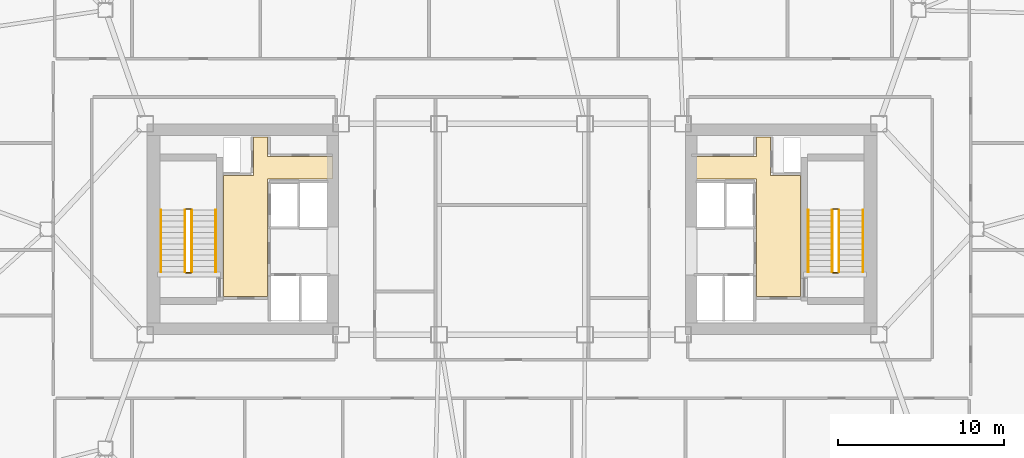
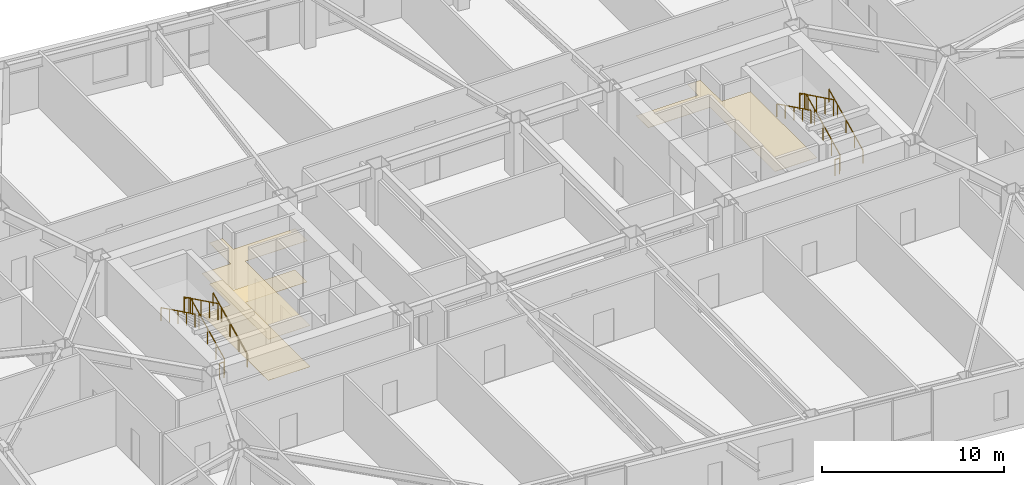
# One storey, part 20 of 20: 12 railings, 3 coverings.
"""IFC4 building model written with IfcOpenShell, lengths in metres."""

from ifc_helpers import new_model, si_unit, direction, frame, origin, origin_2d, place, context, subcontext, project, spatial, polyline, rectangle, outline, extrude, material, layer, layer_set, type_object, element, save


model = new_model("IFC4")

# Units and contexts
model_context = context("Model", 3, precision=1e-05, world=origin(), true_north=direction((0.0, 1.0)))
body_context = subcontext(model_context, "Body", "Model", "MODEL_VIEW")
ifc_project = project(units=[si_unit("LENGTHUNIT", "METRE"), si_unit("AREAUNIT", "SQUARE_METRE"), si_unit("VOLUMEUNIT", "CUBIC_METRE"), si_unit("PLANEANGLEUNIT", "RADIAN"), si_unit("MASSUNIT", "GRAM", prefix="KILO")], contexts=[model_context])

# Site, building, storey
site_placement = place(None, origin())
site = spatial("IfcSite", under=ifc_project, at=site_placement, CompositionType="ELEMENT")
building_placement = place(site_placement, origin())
building = spatial("IfcBuilding", under=site, at=building_placement, Name="Tavrogorsk Clinical Tower", CompositionType="ELEMENT")
storey_placement = place(building_placement, frame((0.0, 0.0, 105.39990234375)))
storey = spatial("IfcBuildingStorey", under=building, at=storey_placement, Name="L23", CompositionType="ELEMENT", Elevation=105.39990234375)

# Coverings
ifc_material_1 = material(Name="Antibacterial micro-perforated aluminium ceiling", Category="aluminium")
ifc_layer_1 = layer(ifc_material_1, 0.014892578125)
ifc_layer_set_1 = layer_set([ifc_layer_1], Name="Antibacterial micro-perforated aluminium ceiling")
covering_type_1 = type_object("IfcCoveringType", Name="ClinicalCeiling_15", PredefinedType="CEILING", material=ifc_layer_set_1)
covering_1_placement = place(storey_placement, frame((0.0, 0.0, 2.75)))
element("IfcCovering", 1, at=covering_1_placement, inside=storey, type_object=covering_type_1, Name="Core West Firefighting Lift Lobby Acoustic Ceiling", PredefinedType="CEILING", context=body_context, shape_type="SweptSolid", body=[
    extrude(outline(polyline([(-14.719970703125, 4.3798828125), (-10.800048828125, 4.3798828125), (-10.800048828125, 3.0400390625), (-14.719970703125, 3.0400390625), (-14.719970703125, -4.06005859375), (-17.3798828125, -4.06005859375), (-17.3798828125, 3.239990234375), (-15.56005859375, 3.239990234375), (-15.56005859375, 5.56005859375), (-14.719970703125, 5.56005859375), (-14.719970703125, 4.3798828125)])), origin(), (0.0, 0.0, 1.0), 0.01513671875),
])
covering_2_placement = place(storey_placement, frame((0.0, 0.0, 2.75)))
element("IfcCovering", 2, at=covering_2_placement, inside=storey, type_object=covering_type_1, Name="Core East Firefighting Lift Lobby Acoustic Ceiling", PredefinedType="CEILING", context=body_context, shape_type="SweptSolid", body=[
    extrude(outline(polyline([(14.719970703125, -4.06005859375), (14.719970703125, 3.0400390625), (10.800048828125, 3.0400390625), (10.800048828125, 4.3798828125), (14.719970703125, 4.3798828125), (14.719970703125, 5.56005859375), (15.56005859375, 5.56005859375), (15.56005859375, 3.239990234375), (17.3798828125, 3.239990234375), (17.3798828125, -4.06005859375), (14.719970703125, -4.06005859375)])), origin(), (0.0, 0.0, 1.0), 0.01513671875),
])
ifc_material_2 = material(Name="Homogeneous medical conductive PVC flooring")
ifc_layer_2 = layer(ifc_material_2, 0.008056640625)
ifc_layer_set_2 = layer_set([ifc_layer_2], Name="Homogeneous medical conductive PVC flooring")
covering_type_2 = type_object("IfcCoveringType", Name="ResilientVinylFloor_8", PredefinedType="FLOORING", material=ifc_layer_set_2)
covering_3_placement = place(storey_placement, origin())
element("IfcCovering", 3, at=covering_3_placement, inside=storey, type_object=covering_type_2, Name="Core West Firefighting Lift Lobby Conductive Vinyl Flooring", PredefinedType="FLOORING", context=body_context, shape_type="SweptSolid", body=[
    extrude(outline(polyline([(-14.719970703125, 4.3798828125), (-10.800048828125, 4.3798828125), (-10.800048828125, 3.0400390625), (-14.719970703125, 3.0400390625), (-14.719970703125, -4.06005859375), (-17.3798828125, -4.06005859375), (-17.3798828125, 3.239990234375), (-15.56005859375, 3.239990234375), (-15.56005859375, 5.56005859375), (-14.719970703125, 5.56005859375), (-14.719970703125, 4.3798828125)])), origin(), (0.0, 0.0, 1.0), 0.008056640625),
])

# Railings
ifc_material_3 = material(Name="Galvanised steel S355 safety stairwell guard", Category="steel")
ifc_layer_3 = layer(ifc_material_3, 0.06005859375)
ifc_layer_set_3 = layer_set([ifc_layer_3], Name="Galvanised steel S355 safety stairwell guard")
railing_type_1 = type_object("IfcRailingType", Name="StairGuard_1150", PredefinedType="GUARDRAIL", material=ifc_layer_set_3)
railing_1_placement = place(storey_placement, frame((-19.300048828125, -2.574951171875, 0.166748046875)))
element("IfcRailing", 4, at=railing_1_placement, inside=storey, type_object=railing_type_1, Name="L23 ST-W stair guard 1", PredefinedType="GUARDRAIL", context=body_context, shape_type="SweptSolid", body=[
    extrude(rectangle(XDim=0.048095703125, YDim=0.048095703125, at=origin_2d()), frame((0.0, 0.0, 1.076171875), z_axis=(0.0, 0.897927990467, 0.440142390523), x_axis=(-1.0, 0.0, 0.0)), (0.0, 0.0, 1.0), 4.1650390625),
    extrude(rectangle(XDim=0.0419921875, YDim=0.0419921875, at=origin_2d()), origin(), (0.0, 0.0, 1.0), 1.052001953125),
    extrude(rectangle(XDim=0.0419921875, YDim=0.0419921875, at=origin_2d()), frame((0.0, 0.93505859375, 0.458251953125)), (0.0, 0.0, 1.0), 1.052001953125),
    extrude(rectangle(XDim=0.0419921875, YDim=0.0419921875, at=origin_2d()), frame((0.0, 1.8701171875, 0.91650390625)), (0.0, 0.0, 1.0), 1.052001953125),
    extrude(rectangle(XDim=0.0419921875, YDim=0.0419921875, at=origin_2d()), frame((0.0, 2.804931640625, 1.375)), (0.0, 0.0, 1.0), 1.052001953125),
    extrude(rectangle(XDim=0.0419921875, YDim=0.0419921875, at=origin_2d()), frame((0.0, 3.739990234375, 1.833251953125)), (0.0, 0.0, 1.0), 1.052001953125),
])
railing_2_placement = place(storey_placement, frame((-19.35009765625, 1.215087890625, 2.0)))
element("IfcRailing", 5, at=railing_2_placement, inside=storey, type_object=railing_type_1, Name="L23 ST-W stair guard 2", PredefinedType="GUARDRAIL", context=body_context, shape_type="SweptSolid", body=[
    extrude(rectangle(XDim=0.048095703125, YDim=0.048095703125, at=origin_2d()), frame((0.0, 0.0, 1.076171875), z_axis=(-1.0, 0.0, 0.0), x_axis=(0.0, -1.0, 0.0)), (0.0, 0.0, 1.0), 0.2998046875),
    extrude(rectangle(XDim=0.0419921875, YDim=0.0419921875, at=origin_2d()), origin(), (0.0, 0.0, 1.0), 1.052001953125),
    extrude(rectangle(XDim=0.0419921875, YDim=0.0419921875, at=origin_2d()), frame((-0.2998046875, 0.0, 0.0)), (0.0, 0.0, 1.0), 1.052001953125),
])
railing_3_placement = place(storey_placement, frame((-19.699951171875, 1.1650390625, 2.166748046875)))
element("IfcRailing", 6, at=railing_3_placement, inside=storey, type_object=railing_type_1, Name="L23 ST-W stair guard 3", PredefinedType="GUARDRAIL", context=body_context, shape_type="SweptSolid", body=[
    extrude(rectangle(XDim=0.048095703125, YDim=0.048095703125, at=origin_2d()), frame((0.0, 0.0, 1.076171875), z_axis=(0.0, -0.897927990467, 0.440142390523), x_axis=(1.0, 0.0, 0.0)), (0.0, 0.0, 1.0), 4.1650390625),
    extrude(rectangle(XDim=0.0419921875, YDim=0.0419921875, at=origin_2d()), origin(), (0.0, 0.0, 1.0), 1.052001953125),
    extrude(rectangle(XDim=0.0419921875, YDim=0.0419921875, at=origin_2d()), frame((0.0, -0.93505859375, 0.458251953125)), (0.0, 0.0, 1.0), 1.052001953125),
    extrude(rectangle(XDim=0.0419921875, YDim=0.0419921875, at=origin_2d()), frame((0.0, -1.8701171875, 0.91650390625)), (0.0, 0.0, 1.0), 1.052001953125),
    extrude(rectangle(XDim=0.0419921875, YDim=0.0419921875, at=origin_2d()), frame((0.0, -2.804931640625, 1.375)), (0.0, 0.0, 1.0), 1.052001953125),
    extrude(rectangle(XDim=0.0419921875, YDim=0.0419921875, at=origin_2d()), frame((0.0, -3.739990234375, 1.833251953125)), (0.0, 0.0, 1.0), 1.052001953125),
])
railing_4_placement = place(storey_placement, frame((-19.35009765625, -2.625, 0.0)))
element("IfcRailing", 7, at=railing_4_placement, inside=storey, type_object=railing_type_1, Name="L23 ST-W stair guard 4", PredefinedType="GUARDRAIL", context=body_context, shape_type="SweptSolid", body=[
    extrude(rectangle(XDim=0.048095703125, YDim=0.048095703125, at=origin_2d()), frame((0.0, 0.0, 1.076171875), z_axis=(-1.0, 0.0, 0.0), x_axis=(0.0, -1.0, 0.0)), (0.0, 0.0, 1.0), 0.2998046875),
    extrude(rectangle(XDim=0.0419921875, YDim=0.0419921875, at=origin_2d()), origin(), (0.0, 0.0, 1.0), 1.052001953125),
    extrude(rectangle(XDim=0.0419921875, YDim=0.0419921875, at=origin_2d()), frame((-0.2998046875, 0.0, 0.0)), (0.0, 0.0, 1.0), 1.052001953125),
])
railing_5_placement = place(storey_placement, frame((19.699951171875, -2.574951171875, 0.166748046875)))
element("IfcRailing", 8, at=railing_5_placement, inside=storey, type_object=railing_type_1, Name="L23 ST-E stair guard 1", PredefinedType="GUARDRAIL", context=body_context, shape_type="SweptSolid", body=[
    extrude(rectangle(XDim=0.048095703125, YDim=0.048095703125, at=origin_2d()), frame((0.0, 0.0, 1.076171875), z_axis=(0.0, 0.897927990467, 0.440142390523), x_axis=(-1.0, 0.0, 0.0)), (0.0, 0.0, 1.0), 4.1650390625),
    extrude(rectangle(XDim=0.0419921875, YDim=0.0419921875, at=origin_2d()), origin(), (0.0, 0.0, 1.0), 1.052001953125),
    extrude(rectangle(XDim=0.0419921875, YDim=0.0419921875, at=origin_2d()), frame((0.0, 0.93505859375, 0.458251953125)), (0.0, 0.0, 1.0), 1.052001953125),
    extrude(rectangle(XDim=0.0419921875, YDim=0.0419921875, at=origin_2d()), frame((0.0, 1.8701171875, 0.91650390625)), (0.0, 0.0, 1.0), 1.052001953125),
    extrude(rectangle(XDim=0.0419921875, YDim=0.0419921875, at=origin_2d()), frame((0.0, 2.804931640625, 1.375)), (0.0, 0.0, 1.0), 1.052001953125),
    extrude(rectangle(XDim=0.0419921875, YDim=0.0419921875, at=origin_2d()), frame((0.0, 3.739990234375, 1.833251953125)), (0.0, 0.0, 1.0), 1.052001953125),
])
railing_6_placement = place(storey_placement, frame((19.64990234375, 1.215087890625, 2.0)))
element("IfcRailing", 9, at=railing_6_placement, inside=storey, type_object=railing_type_1, Name="L23 ST-E stair guard 2", PredefinedType="GUARDRAIL", context=body_context, shape_type="SweptSolid", body=[
    extrude(rectangle(XDim=0.048095703125, YDim=0.048095703125, at=origin_2d()), frame((0.0, 0.0, 1.076171875), z_axis=(-1.0, 0.0, 0.0), x_axis=(0.0, -1.0, 0.0)), (0.0, 0.0, 1.0), 0.2998046875),
    extrude(rectangle(XDim=0.0419921875, YDim=0.0419921875, at=origin_2d()), origin(), (0.0, 0.0, 1.0), 1.052001953125),
    extrude(rectangle(XDim=0.0419921875, YDim=0.0419921875, at=origin_2d()), frame((-0.2998046875, 0.0, 0.0)), (0.0, 0.0, 1.0), 1.052001953125),
])
railing_7_placement = place(storey_placement, frame((19.300048828125, 1.1650390625, 2.166748046875)))
element("IfcRailing", 10, at=railing_7_placement, inside=storey, type_object=railing_type_1, Name="L23 ST-E stair guard 3", PredefinedType="GUARDRAIL", context=body_context, shape_type="SweptSolid", body=[
    extrude(rectangle(XDim=0.048095703125, YDim=0.048095703125, at=origin_2d()), frame((0.0, 0.0, 1.076171875), z_axis=(0.0, -0.897927990467, 0.440142390523), x_axis=(1.0, 0.0, 0.0)), (0.0, 0.0, 1.0), 4.1650390625),
    extrude(rectangle(XDim=0.0419921875, YDim=0.0419921875, at=origin_2d()), origin(), (0.0, 0.0, 1.0), 1.052001953125),
    extrude(rectangle(XDim=0.0419921875, YDim=0.0419921875, at=origin_2d()), frame((0.0, -0.93505859375, 0.458251953125)), (0.0, 0.0, 1.0), 1.052001953125),
    extrude(rectangle(XDim=0.0419921875, YDim=0.0419921875, at=origin_2d()), frame((0.0, -1.8701171875, 0.91650390625)), (0.0, 0.0, 1.0), 1.052001953125),
    extrude(rectangle(XDim=0.0419921875, YDim=0.0419921875, at=origin_2d()), frame((0.0, -2.804931640625, 1.375)), (0.0, 0.0, 1.0), 1.052001953125),
    extrude(rectangle(XDim=0.0419921875, YDim=0.0419921875, at=origin_2d()), frame((0.0, -3.739990234375, 1.833251953125)), (0.0, 0.0, 1.0), 1.052001953125),
])
railing_8_placement = place(storey_placement, frame((19.64990234375, -2.625, 0.0)))
element("IfcRailing", 11, at=railing_8_placement, inside=storey, type_object=railing_type_1, Name="L23 ST-E stair guard 4", PredefinedType="GUARDRAIL", context=body_context, shape_type="SweptSolid", body=[
    extrude(rectangle(XDim=0.048095703125, YDim=0.048095703125, at=origin_2d()), frame((0.0, 0.0, 1.076171875), z_axis=(-1.0, 0.0, 0.0), x_axis=(0.0, -1.0, 0.0)), (0.0, 0.0, 1.0), 0.2998046875),
    extrude(rectangle(XDim=0.0419921875, YDim=0.0419921875, at=origin_2d()), origin(), (0.0, 0.0, 1.0), 1.052001953125),
    extrude(rectangle(XDim=0.0419921875, YDim=0.0419921875, at=origin_2d()), frame((-0.2998046875, 0.0, 0.0)), (0.0, 0.0, 1.0), 1.052001953125),
])
ifc_material_4 = material(Name="Stainless steel AISI 304 tubular handrail", Category="steel")
ifc_layer_4 = layer(ifc_material_4, 0.050048828125)
ifc_layer_set_4 = layer_set([ifc_layer_4], Name="Stainless steel AISI 304 tubular handrail")
railing_type_2 = type_object("IfcRailingType", Name="StairHandrail_920", PredefinedType="HANDRAIL", material=ifc_layer_set_4)
railing_9_placement = place(storey_placement, frame((-17.85009765625, -2.574951171875, 0.166748046875)))
element("IfcRailing", 12, at=railing_9_placement, inside=storey, type_object=railing_type_2, Name="L23 ST-W stair handrail 1", PredefinedType="HANDRAIL", context=body_context, shape_type="SweptSolid", body=[
    extrude(rectangle(XDim=0.048095703125, YDim=0.048095703125, at=origin_2d()), frame((0.0, 0.0, 0.8759765625), z_axis=(0.0, 0.897927990467, 0.440142390523), x_axis=(-1.0, 0.0, 0.0)), (0.0, 0.0, 1.0), 4.1650390625),
    extrude(rectangle(XDim=0.0419921875, YDim=0.0419921875, at=origin_2d()), origin(), (0.0, 0.0, 1.0), 0.851806640625),
    extrude(rectangle(XDim=0.0419921875, YDim=0.0419921875, at=origin_2d()), frame((0.0, 0.93505859375, 0.458251953125)), (0.0, 0.0, 1.0), 0.851806640625),
    extrude(rectangle(XDim=0.0419921875, YDim=0.0419921875, at=origin_2d()), frame((0.0, 1.8701171875, 0.91650390625)), (0.0, 0.0, 1.0), 0.851806640625),
    extrude(rectangle(XDim=0.0419921875, YDim=0.0419921875, at=origin_2d()), frame((0.0, 2.804931640625, 1.375)), (0.0, 0.0, 1.0), 0.851806640625),
    extrude(rectangle(XDim=0.0419921875, YDim=0.0419921875, at=origin_2d()), frame((0.0, 3.739990234375, 1.833251953125)), (0.0, 0.0, 1.0), 0.851806640625),
])
railing_10_placement = place(storey_placement, frame((-21.14990234375, 1.1650390625, 2.166748046875)))
element("IfcRailing", 13, at=railing_10_placement, inside=storey, type_object=railing_type_2, Name="L23 ST-W stair handrail 2", PredefinedType="HANDRAIL", context=body_context, shape_type="SweptSolid", body=[
    extrude(rectangle(XDim=0.048095703125, YDim=0.048095703125, at=origin_2d()), frame((0.0, 0.0, 0.8759765625), z_axis=(0.0, -0.897927990467, 0.440142390523), x_axis=(1.0, 0.0, 0.0)), (0.0, 0.0, 1.0), 4.1650390625),
    extrude(rectangle(XDim=0.0419921875, YDim=0.0419921875, at=origin_2d()), origin(), (0.0, 0.0, 1.0), 0.851806640625),
    extrude(rectangle(XDim=0.0419921875, YDim=0.0419921875, at=origin_2d()), frame((0.0, -0.93505859375, 0.458251953125)), (0.0, 0.0, 1.0), 0.851806640625),
    extrude(rectangle(XDim=0.0419921875, YDim=0.0419921875, at=origin_2d()), frame((0.0, -1.8701171875, 0.91650390625)), (0.0, 0.0, 1.0), 0.851806640625),
    extrude(rectangle(XDim=0.0419921875, YDim=0.0419921875, at=origin_2d()), frame((0.0, -2.804931640625, 1.375)), (0.0, 0.0, 1.0), 0.851806640625),
    extrude(rectangle(XDim=0.0419921875, YDim=0.0419921875, at=origin_2d()), frame((0.0, -3.739990234375, 1.833251953125)), (0.0, 0.0, 1.0), 0.851806640625),
])
railing_11_placement = place(storey_placement, frame((21.14990234375, -2.574951171875, 0.166748046875)))
element("IfcRailing", 14, at=railing_11_placement, inside=storey, type_object=railing_type_2, Name="L23 ST-E stair handrail 1", PredefinedType="HANDRAIL", context=body_context, shape_type="SweptSolid", body=[
    extrude(rectangle(XDim=0.048095703125, YDim=0.048095703125, at=origin_2d()), frame((0.0, 0.0, 0.8759765625), z_axis=(0.0, 0.897927990467, 0.440142390523), x_axis=(-1.0, 0.0, 0.0)), (0.0, 0.0, 1.0), 4.1650390625),
    extrude(rectangle(XDim=0.0419921875, YDim=0.0419921875, at=origin_2d()), origin(), (0.0, 0.0, 1.0), 0.851806640625),
    extrude(rectangle(XDim=0.0419921875, YDim=0.0419921875, at=origin_2d()), frame((0.0, 0.93505859375, 0.458251953125)), (0.0, 0.0, 1.0), 0.851806640625),
    extrude(rectangle(XDim=0.0419921875, YDim=0.0419921875, at=origin_2d()), frame((0.0, 1.8701171875, 0.91650390625)), (0.0, 0.0, 1.0), 0.851806640625),
    extrude(rectangle(XDim=0.0419921875, YDim=0.0419921875, at=origin_2d()), frame((0.0, 2.804931640625, 1.375)), (0.0, 0.0, 1.0), 0.851806640625),
    extrude(rectangle(XDim=0.0419921875, YDim=0.0419921875, at=origin_2d()), frame((0.0, 3.739990234375, 1.833251953125)), (0.0, 0.0, 1.0), 0.851806640625),
])
railing_12_placement = place(storey_placement, frame((17.85009765625, 1.1650390625, 2.166748046875)))
element("IfcRailing", 15, at=railing_12_placement, inside=storey, type_object=railing_type_2, Name="L23 ST-E stair handrail 2", PredefinedType="HANDRAIL", context=body_context, shape_type="SweptSolid", body=[
    extrude(rectangle(XDim=0.048095703125, YDim=0.048095703125, at=origin_2d()), frame((0.0, 0.0, 0.8759765625), z_axis=(0.0, -0.897927990467, 0.440142390523), x_axis=(1.0, 0.0, 0.0)), (0.0, 0.0, 1.0), 4.1650390625),
    extrude(rectangle(XDim=0.0419921875, YDim=0.0419921875, at=origin_2d()), origin(), (0.0, 0.0, 1.0), 0.851806640625),
    extrude(rectangle(XDim=0.0419921875, YDim=0.0419921875, at=origin_2d()), frame((0.0, -0.93505859375, 0.458251953125)), (0.0, 0.0, 1.0), 0.851806640625),
    extrude(rectangle(XDim=0.0419921875, YDim=0.0419921875, at=origin_2d()), frame((0.0, -1.8701171875, 0.91650390625)), (0.0, 0.0, 1.0), 0.851806640625),
    extrude(rectangle(XDim=0.0419921875, YDim=0.0419921875, at=origin_2d()), frame((0.0, -2.804931640625, 1.375)), (0.0, 0.0, 1.0), 0.851806640625),
    extrude(rectangle(XDim=0.0419921875, YDim=0.0419921875, at=origin_2d()), frame((0.0, -3.739990234375, 1.833251953125)), (0.0, 0.0, 1.0), 0.851806640625),
])

save(model, "model.ifc")
